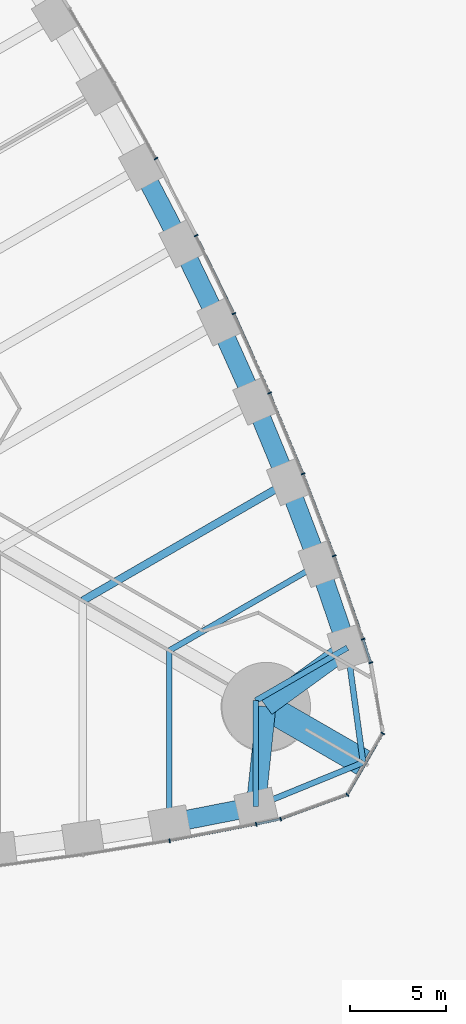
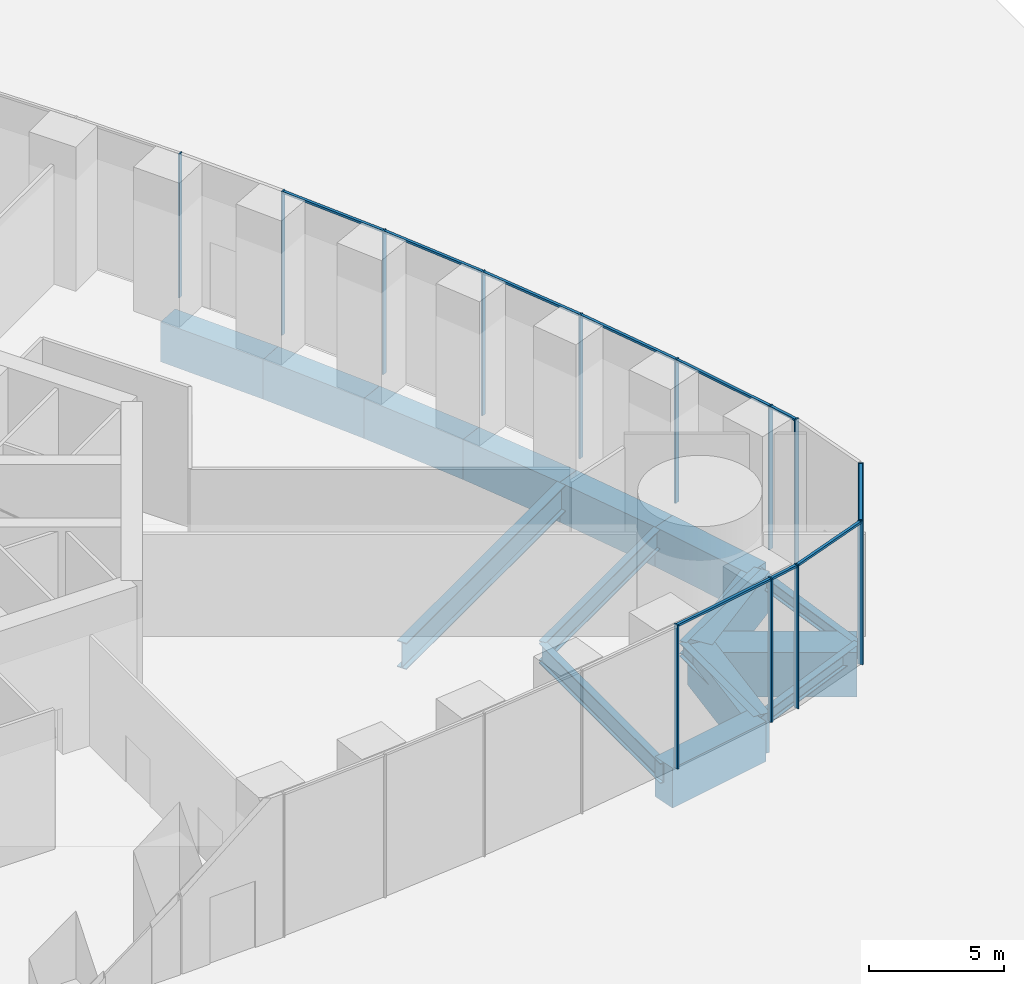
# One storey, part 11 of 43: 23 members, 17 beams, 4 elements without a shape of their own.
"""IFC4 building model written with IfcOpenShell, lengths in metres."""

from ifc_helpers import new_model, si_unit, direction, frame, origin, origin_2d, place, context, subcontext, project, spatial, rectangle, i_section, extrude, material, material_profile, profile_set, type_object, element, aggregate, save


model = new_model("IFC4")

# Units and contexts
model_context = context("Model", 3, precision=1e-05, world=origin(), true_north=direction((0.0, 1.0)))
body_context = subcontext(model_context, "Body", "Model", "MODEL_VIEW")
ifc_project = project(units=[si_unit("LENGTHUNIT", "METRE"), si_unit("AREAUNIT", "SQUARE_METRE"), si_unit("VOLUMEUNIT", "CUBIC_METRE"), si_unit("PLANEANGLEUNIT", "RADIAN"), si_unit("MASSUNIT", "GRAM", prefix="KILO")], contexts=[model_context])

# Site, building, storey
site_placement = place(None, origin())
site = spatial("IfcSite", under=ifc_project, at=site_placement, CompositionType="ELEMENT")
building_placement = place(site_placement, origin())
building = spatial("IfcBuilding", under=site, at=building_placement, Name="Trefoil Bronze Tower", CompositionType="ELEMENT")
storey_placement = place(building_placement, origin())
storey = spatial("IfcBuildingStorey", under=building, at=storey_placement, Name="L00", CompositionType="ELEMENT", Elevation=0.0)

# Curtain wall, members
ifc_material_1 = material(Name="Tinted solar-control glass", Category="glass")
curtain_wall_type_1 = type_object("IfcCurtainWallType", Name="Bronze podium storefront curtain wall", PredefinedType="USERDEFINED", material=ifc_material_1)
curtain_wall_1_placement = place(storey_placement, origin())
curtain_wall_1 = element("IfcCurtainWall", 1, at=curtain_wall_1_placement, inside=storey, type_object=curtain_wall_type_1, Name="CW-C L00 F1 run 6", ObjectType="CURTAIN WALL", PredefinedType="USERDEFINED")
ifc_material_2 = material(Name="Bronze-finish aluminium", Category="aluminium")
ifc_material_profile_1 = material_profile(ifc_material_2, rectangle(XDim=0.199951171875, YDim=0.06005859375, at=origin_2d()), Name="CW-C mullion")
ifc_profile_set_1 = profile_set([ifc_material_profile_1], Name="Bronze-finish aluminium")
member_type_1 = type_object("IfcMemberType", Name="Bronze podium storefront curtain wall mullion", PredefinedType="MULLION", material=ifc_profile_set_1)
member_1_placement = place(storey_placement, frame((27.017333984375, -25.478759765625, 0.0), z_axis=(0.0, 0.0, 1.0), x_axis=(-0.174131146426, 0.984722470468, 0.0)))
member_1 = element("IfcMember", 2, at=member_1_placement, type_object=member_type_1, Name="CW-C L00 F1 run 6 mullion 5", PredefinedType="MULLION", context=body_context, shape_type="SweptSolid", body=[
    extrude(rectangle(XDim=0.199951171875, YDim=0.06005859375, at=origin_2d()), origin(), (0.0, 0.0, 1.0), 6.47998046875),
])
member_2_placement = place(storey_placement, frame((31.519775390625, -24.614013671875, 0.0), z_axis=(0.0, 0.0, 1.0), x_axis=(-0.197910006829, 0.98022019424, 0.0)))
member_2 = element("IfcMember", 3, at=member_2_placement, type_object=member_type_1, Name="CW-C L00 F1 run 6 mullion 6", PredefinedType="MULLION", context=body_context, shape_type="SweptSolid", body=[
    extrude(rectangle(XDim=0.199951171875, YDim=0.06005859375, at=origin_2d()), origin(), (0.0, 0.0, 1.0), 6.47998046875),
])

curtain_wall_2_placement = place(storey_placement, origin())
curtain_wall_2 = element("IfcCurtainWall", 4, at=curtain_wall_2_placement, inside=storey, type_object=curtain_wall_type_1, Name="CW-C L00 F2 run 1", ObjectType="CURTAIN WALL", PredefinedType="USERDEFINED")
member_3_placement = place(storey_placement, frame((37.476318359375, -16.2177734375, 0.0), z_axis=(0.0, 0.0, 1.0), x_axis=(-0.950825296877, -0.309727710769, 0.0)))
member_3 = element("IfcMember", 5, at=member_3_placement, type_object=member_type_1, Name="CW-C L00 F2 run 1 mullion 1", PredefinedType="MULLION", context=body_context, shape_type="SweptSolid", body=[
    extrude(rectangle(XDim=0.199951171875, YDim=0.06005859375, at=origin_2d()), origin(), (0.0, 0.0, 1.0), 6.47998046875),
])
member_4_placement = place(storey_placement, frame((37.076416015625, -14.989990234375, 0.0), z_axis=(0.0, 0.0, 1.0), x_axis=(-0.947850592929, -0.318715003543, 0.0)))
member_4 = element("IfcMember", 6, at=member_4_placement, type_object=member_type_1, Name="CW-C L00 F2 run 1 mullion 2", PredefinedType="MULLION", context=body_context, shape_type="SweptSolid", body=[
    extrude(rectangle(XDim=0.199951171875, YDim=0.06005859375, at=origin_2d()), origin(), (0.0, 0.0, 1.0), 6.47998046875),
])
member_5_placement = place(storey_placement, frame((35.573974609375, -10.658447265625, 0.0), z_axis=(0.0, 0.0, 1.0), x_axis=(-0.939860248316, -0.341559238839, 0.0)))
member_5 = element("IfcMember", 7, at=member_5_placement, type_object=member_type_1, Name="CW-C L00 F2 run 1 mullion 3", PredefinedType="MULLION", context=body_context, shape_type="SweptSolid", body=[
    extrude(rectangle(XDim=0.199951171875, YDim=0.06005859375, at=origin_2d()), origin(), (0.0, 0.0, 1.0), 6.47998046875),
])
member_6_placement = place(storey_placement, frame((33.953125, -6.394775390625, 0.0), z_axis=(0.0, 0.0, 1.0), x_axis=(-0.929413605838, -0.369039766534, 0.0)))
member_6 = element("IfcMember", 8, at=member_6_placement, type_object=member_type_1, Name="CW-C L00 F2 run 1 mullion 4", PredefinedType="MULLION", context=body_context, shape_type="SweptSolid", body=[
    extrude(rectangle(XDim=0.199951171875, YDim=0.06005859375, at=origin_2d()), origin(), (0.0, 0.0, 1.0), 6.47998046875),
])
member_7_placement = place(storey_placement, frame((32.21533203125, -2.198486328125, 0.0), z_axis=(0.0, 0.0, 1.0), x_axis=(-0.918213748442, -0.396085233469, 0.0)))
member_7 = element("IfcMember", 9, at=member_7_placement, type_object=member_type_1, Name="CW-C L00 F2 run 1 mullion 5", PredefinedType="MULLION", context=body_context, shape_type="SweptSolid", body=[
    extrude(rectangle(XDim=0.199951171875, YDim=0.06005859375, at=origin_2d()), origin(), (0.0, 0.0, 1.0), 6.47998046875),
])
member_8_placement = place(storey_placement, frame((30.36181640625, 1.930908203125, 0.0), z_axis=(0.0, 0.0, 1.0), x_axis=(-0.906269346572, -0.422700687798, 0.0)))
member_8 = element("IfcMember", 10, at=member_8_placement, type_object=member_type_1, Name="CW-C L00 F2 run 1 mullion 6", PredefinedType="MULLION", context=body_context, shape_type="SweptSolid", body=[
    extrude(rectangle(XDim=0.199951171875, YDim=0.06005859375, at=origin_2d()), origin(), (0.0, 0.0, 1.0), 6.47998046875),
])
member_9_placement = place(storey_placement, frame((28.394775390625, 5.992919921875, 0.0), z_axis=(0.0, 0.0, 1.0), x_axis=(-0.900016731858, -0.4358553457, 0.0)))
member_9 = element("IfcMember", 11, at=member_9_placement, type_object=member_type_1, Name="CW-C L00 F2 run 1 mullion 7", PredefinedType="MULLION", context=body_context, shape_type="SweptSolid", body=[
    extrude(rectangle(XDim=0.199951171875, YDim=0.06005859375, at=origin_2d()), origin(), (0.0, 0.0, 1.0), 6.47998046875),
])

# Curtain wall, member
curtain_wall_3_placement = place(storey_placement, origin())
curtain_wall_3 = element("IfcCurtainWall", 12, at=curtain_wall_3_placement, inside=storey, type_object=curtain_wall_type_1, Name="CW-C L00 F2 run 3", ObjectType="CURTAIN WALL", PredefinedType="USERDEFINED")
member_10_placement = place(storey_placement, frame((26.311767578125, 9.993408203125, 0.0), z_axis=(0.0, 0.0, 1.0), x_axis=(-0.873188893722, -0.487381940453, 0.0)))
member_10 = element("IfcMember", 13, at=member_10_placement, type_object=member_type_1, Name="CW-C L00 F2 run 3 mullion 1", PredefinedType="MULLION", context=body_context, shape_type="SweptSolid", body=[
    extrude(rectangle(XDim=0.199951171875, YDim=0.06005859375, at=origin_2d()), origin(), (0.0, 0.0, 1.0), 6.47998046875),
])
aggregate(curtain_wall_3, [member_10])

# Member
ifc_material_3 = material(Name="Bronze-finish aluminium", Category="aluminium")
ifc_material_profile_2 = material_profile(ifc_material_3, rectangle(XDim=0.1201171875, YDim=0.10009765625, at=origin_2d()), Name="CW-C transom")
ifc_profile_set_2 = profile_set([ifc_material_profile_2], Name="Bronze-finish aluminium")
member_type_2 = type_object("IfcMemberType", Name="Bronze podium storefront curtain wall transom", PredefinedType="USERDEFINED", material=ifc_profile_set_2)
member_11_placement = place(storey_placement, frame((27.04833984375, -25.472900390625, 6.429931640625), z_axis=(0.982049163512, 0.18862513206, 0.0), x_axis=(-0.18862513206, 0.982049163512, 0.0)))
member_11 = element("IfcMember", 14, at=member_11_placement, type_object=member_type_2, Name="CW-C L00 F1 run 6 transom 5", ObjectType="TRANSOM", PredefinedType="USERDEFINED", context=body_context, shape_type="SweptSolid", body=[
    extrude(rectangle(XDim=0.1201171875, YDim=0.10009765625, at=origin_2d()), origin(), (0.0, 0.0, 1.0), 4.5224609375),
])

member_12_placement = place(storey_placement, frame((31.550048828125, -24.607666015625, 6.429931640625), z_axis=(0.978304864549, 0.207170441905, 0.0), x_axis=(-0.207170441905, 0.978304864549, 0.0)))
member_12 = element("IfcMember", 15, at=member_12_placement, type_object=member_type_2, Name="CW-C L00 F1 run 6 transom 6", ObjectType="TRANSOM", PredefinedType="USERDEFINED", context=body_context, shape_type="SweptSolid", body=[
    extrude(rectangle(XDim=0.1201171875, YDim=0.10009765625, at=origin_2d()), origin(), (0.0, 0.0, 1.0), 1.230224609375),
])

aggregate(curtain_wall_1, [member_1, member_2, member_11, member_12])

member_13_placement = place(storey_placement, frame((37.467041015625, -16.189208984375, 6.429931640625), z_axis=(-0.309732068556, 0.950823877334, 0.0), x_axis=(-0.950823877334, -0.309732068556, 0.0)))
member_13 = element("IfcMember", 16, at=member_13_placement, type_object=member_type_2, Name="CW-C L00 F2 run 1 transom 1", ObjectType="TRANSOM", PredefinedType="USERDEFINED", context=body_context, shape_type="SweptSolid", body=[
    extrude(rectangle(XDim=0.1201171875, YDim=0.10009765625, at=origin_2d()), origin(), (0.0, 0.0, 1.0), 1.23046875),
])

member_14_placement = place(storey_placement, frame((37.066162109375, -14.960693359375, 6.429931640625), z_axis=(-0.327638958875, 0.944803002021, 0.0), x_axis=(-0.944803002021, -0.327638958875, 0.0)))
member_14 = element("IfcMember", 17, at=member_14_placement, type_object=member_type_2, Name="CW-C L00 F2 run 1 transom 2", ObjectType="TRANSOM", PredefinedType="USERDEFINED", context=body_context, shape_type="SweptSolid", body=[
    extrude(rectangle(XDim=0.1201171875, YDim=0.10009765625, at=origin_2d()), origin(), (0.0, 0.0, 1.0), 4.522216796875),
])

member_15_placement = place(storey_placement, frame((35.562744140625, -10.62890625, 6.429931640625), z_axis=(-0.355324938334, 0.934742846026, 0.0), x_axis=(-0.934742846026, -0.355324938334, 0.0)))
member_15 = element("IfcMember", 18, at=member_15_placement, type_object=member_type_2, Name="CW-C L00 F2 run 1 transom 3", ObjectType="TRANSOM", PredefinedType="USERDEFINED", context=body_context, shape_type="SweptSolid", body=[
    extrude(rectangle(XDim=0.1201171875, YDim=0.10009765625, at=origin_2d()), origin(), (0.0, 0.0, 1.0), 4.498291015625),
])

member_16_placement = place(storey_placement, frame((33.94091796875, -6.36572265625, 6.429931640625), z_axis=(-0.382594106546, 0.923916527418, 0.0), x_axis=(-0.923916527418, -0.382594106546, 0.0)))
member_16 = element("IfcMember", 19, at=member_16_placement, type_object=member_type_2, Name="CW-C L00 F2 run 1 transom 4", ObjectType="TRANSOM", PredefinedType="USERDEFINED", context=body_context, shape_type="SweptSolid", body=[
    extrude(rectangle(XDim=0.1201171875, YDim=0.10009765625, at=origin_2d()), origin(), (0.0, 0.0, 1.0), 4.47900390625),
])

member_17_placement = place(storey_placement, frame((32.202392578125, -2.169921875, 6.429931640625), z_axis=(-0.409454767225, 0.91233041909, 0.0), x_axis=(-0.91233041909, -0.409454767225, 0.0)))
member_17 = element("IfcMember", 20, at=member_17_placement, type_object=member_type_2, Name="CW-C L00 F2 run 1 transom 5", ObjectType="TRANSOM", PredefinedType="USERDEFINED", context=body_context, shape_type="SweptSolid", body=[
    extrude(rectangle(XDim=0.1201171875, YDim=0.10009765625, at=origin_2d()), origin(), (0.0, 0.0, 1.0), 4.463623046875),
])

member_18_placement = place(storey_placement, frame((30.34814453125, 1.959228515625, 6.429931640625), z_axis=(-0.435859049912, 0.900014937992, 0.0), x_axis=(-0.900014937992, -0.435859049912, 0.0)))
member_18 = element("IfcMember", 21, at=member_18_placement, type_object=member_type_2, Name="CW-C L00 F2 run 1 transom 6", ObjectType="TRANSOM", PredefinedType="USERDEFINED", context=body_context, shape_type="SweptSolid", body=[
    extrude(rectangle(XDim=0.1201171875, YDim=0.10009765625, at=origin_2d()), origin(), (0.0, 0.0, 1.0), 4.451904296875),
])

aggregate(curtain_wall_2, [member_3, member_4, member_5, member_6, member_7, member_8, member_9, member_13, member_14, member_15, member_16, member_17, member_18])

# Curtain wall, members
ifc_material_4 = material(Name="Tinted solar-control glass", Category="glass")
curtain_wall_type_2 = type_object("IfcCurtainWallType", Name="Bronze rounded corner curtain wall", PredefinedType="USERDEFINED", material=ifc_material_4)
curtain_wall_4_placement = place(storey_placement, origin())
curtain_wall_4 = element("IfcCurtainWall", 22, at=curtain_wall_4_placement, inside=storey, type_object=curtain_wall_type_2, Name="CW-B L00 K1 run 1", ObjectType="CURTAIN WALL", PredefinedType="USERDEFINED")
ifc_material_5 = material(Name="Bronze-finish aluminium", Category="aluminium")
ifc_material_profile_3 = material_profile(ifc_material_5, rectangle(XDim=0.199951171875, YDim=0.06005859375, at=origin_2d()), Name="CW-B mullion")
ifc_profile_set_3 = profile_set([ifc_material_profile_3], Name="Bronze-finish aluminium")
member_type_3 = type_object("IfcMemberType", Name="Bronze rounded corner curtain wall mullion", PredefinedType="MULLION", material=ifc_profile_set_3)
member_19_placement = place(storey_placement, frame((32.796630859375, -24.3427734375, 0.0), z_axis=(0.0, 0.0, 1.0), x_axis=(-0.342020143326, 0.939692620786, 0.0)))
member_19 = element("IfcMember", 23, at=member_19_placement, type_object=member_type_3, Name="CW-B L00 K1 run 1 mullion 1", PredefinedType="MULLION", context=body_context, shape_type="SweptSolid", body=[
    extrude(rectangle(XDim=0.199951171875, YDim=0.06005859375, at=origin_2d()), origin(), (0.0, 0.0, 1.0), 6.47998046875),
])
member_20_placement = place(storey_placement, frame((36.2548828125, -23.07763671875, 0.0), z_axis=(0.0, 0.0, 1.0), x_axis=(-0.642787609687, 0.766044443119, 0.0)))
member_20 = element("IfcMember", 24, at=member_20_placement, type_object=member_type_3, Name="CW-B L00 K1 run 1 mullion 2", PredefinedType="MULLION", context=body_context, shape_type="SweptSolid", body=[
    extrude(rectangle(XDim=0.199951171875, YDim=0.06005859375, at=origin_2d()), origin(), (0.0, 0.0, 1.0), 6.47998046875),
])
member_21_placement = place(storey_placement, frame((38.101318359375, -19.8916015625, 0.0), z_axis=(0.0, 0.0, 1.0), x_axis=(-0.866025403784, 0.5, 0.0)))
member_21 = element("IfcMember", 25, at=member_21_placement, type_object=member_type_3, Name="CW-B L00 K1 run 1 mullion 3", PredefinedType="MULLION", context=body_context, shape_type="SweptSolid", body=[
    extrude(rectangle(XDim=0.199951171875, YDim=0.06005859375, at=origin_2d()), origin(), (0.0, 0.0, 1.0), 6.47998046875),
])
ifc_material_6 = material(Name="Bronze-finish aluminium", Category="aluminium")
ifc_material_profile_4 = material_profile(ifc_material_6, rectangle(XDim=0.1201171875, YDim=0.10009765625, at=origin_2d()), Name="CW-B transom")
ifc_profile_set_4 = profile_set([ifc_material_profile_4], Name="Bronze-finish aluminium")
member_type_4 = type_object("IfcMemberType", Name="Bronze rounded corner curtain wall transom", PredefinedType="USERDEFINED", material=ifc_profile_set_4)
member_22_placement = place(storey_placement, frame((32.82470703125, -24.33251953125, 6.429931640625), z_axis=(0.939688092095, 0.342032585545, 0.0), x_axis=(-0.342032585545, 0.939688092095, 0.0)))
member_22 = element("IfcMember", 26, at=member_22_placement, type_object=member_type_4, Name="CW-B L00 K1 run 1 transom 1", ObjectType="TRANSOM", PredefinedType="USERDEFINED", context=body_context, shape_type="SweptSolid", body=[
    extrude(rectangle(XDim=0.1201171875, YDim=0.10009765625, at=origin_2d()), origin(), (0.0, 0.0, 1.0), 3.588134765625),
])
member_23_placement = place(storey_placement, frame((36.292236328125, -23.02490234375, 6.429931640625), z_axis=(0.500024788772, 0.866011091507, 0.0), x_axis=(-0.866011091507, 0.500024788772, 0.0)))
member_23 = element("IfcMember", 27, at=member_23_placement, type_object=member_type_4, Name="CW-B L00 K1 run 1 transom 2", ObjectType="TRANSOM", PredefinedType="USERDEFINED", context=body_context, shape_type="SweptSolid", body=[
    extrude(rectangle(XDim=0.1201171875, YDim=0.10009765625, at=origin_2d()), origin(), (0.0, 0.0, 1.0), 3.588134765625),
])
aggregate(curtain_wall_4, [member_19, member_20, member_21, member_22, member_23])

# Beams
ifc_material_7 = material(Name="Concrete B80", Category="concrete")
ifc_material_profile_5 = material_profile(ifc_material_7, rectangle(XDim=1.39990234375, YDim=2.0, at=origin_2d()), Name="RC 1400x2000")
ifc_profile_set_5 = profile_set([ifc_material_profile_5], Name="Concrete B80")
beam_type_1 = type_object("IfcBeamType", Name="Corner cantilever RC 1400x2000", PredefinedType="BEAM", material=ifc_profile_set_5)
beam_1_placement = place(storey_placement, frame((32.04296875, -18.5, -1.300048828125), z_axis=(0.866030348588, -0.499991435252, 0.0), x_axis=(0.499991435252, 0.866030348588, 0.0)))
element("IfcBeam", 28, at=beam_1_placement, inside=storey, type_object=beam_type_1, Name="Corner cantilever K1 L00", PredefinedType="BEAM", context=body_context, shape_type="SweptSolid", body=[
    extrude(rectangle(XDim=1.39990234375, YDim=2.0, at=origin_2d()), origin(), (0.0, 0.0, 1.0), 5.81396484375),
])
ifc_material_8 = material(Name="Steel C355", Category="steel")
ifc_material_profile_6 = material_profile(ifc_material_8, i_section(OverallWidth=0.300048828125, OverallDepth=0.60009765625, WebThickness=0.015380859375, FlangeThickness=0.030029296875, FilletRadius=0.027099609375, at=origin_2d()), Name="HEB 600")
ifc_profile_set_6 = profile_set([ifc_material_profile_6], Name="Steel C355")
beam_type_2 = type_object("IfcBeamType", Name="Corner edge beam HEB 600", PredefinedType="BEAM", material=ifc_profile_set_6)
beam_2_placement = place(storey_placement, frame((31.5, -23.684814453125, -0.60009765625), z_axis=(0.925786874353, 0.378045848114, 0.0), x_axis=(-0.378045848114, 0.925786874353, 0.0)))
element("IfcBeam", 29, at=beam_2_placement, inside=storey, type_object=beam_type_2, Name="Corner edge beam F1A L00", PredefinedType="BEAM", context=body_context, shape_type="SweptSolid", body=[
    extrude(i_section(OverallWidth=0.300048828125, OverallDepth=0.60009765625, WebThickness=0.015380859375, FlangeThickness=0.030029296875, FilletRadius=0.027099609375, at=origin_2d()), origin(), (0.0, 0.0, 1.0), 6.025390625),
])
beam_3_placement = place(storey_placement, frame((36.26171875, -15.4375, -0.60009765625), z_axis=(0.13550196505, -0.990777077585, 0.0), x_axis=(0.990777077585, 0.13550196505, 0.0)))
element("IfcBeam", 30, at=beam_3_placement, inside=storey, type_object=beam_type_2, Name="Corner edge beam F2B L00", PredefinedType="BEAM", context=body_context, shape_type="SweptSolid", body=[
    extrude(i_section(OverallWidth=0.300048828125, OverallDepth=0.60009765625, WebThickness=0.015380859375, FlangeThickness=0.030029296875, FilletRadius=0.027099609375, at=origin_2d()), origin(), (0.0, 0.0, 1.0), 6.025146484375),
])
ifc_material_9 = material(Name="Concrete B80", Category="concrete")
ifc_material_profile_7 = material_profile(ifc_material_9, rectangle(XDim=1.0, YDim=1.800048828125, at=origin_2d()), Name="RC 1000x1800")
ifc_profile_set_7 = profile_set([ifc_material_profile_7], Name="Concrete B80")
beam_type_3 = type_object("IfcBeamType", Name="End spandrel beam RC 1000x1800", PredefinedType="SPANDREL", material=ifc_profile_set_7)
for number, where, z_axis, x_axis, name in (
    (31, (31.5, -23.684814453125, -1.199951171875), (0.104153327908, 0.994561252154, 0.0), (-0.994561252154, 0.104153327908, 0.0), "Spandrel F1.16 L00"),
    (32, (32.04296875, -18.5, -1.199951171875), (0.809254211267, 0.587458612624, 0.0), (-0.587458612624, 0.809254211267, 0.0), "Spandrel F2.1 L00"),
):
    element("IfcBeam", number, at=place(storey_placement, frame(where, z_axis=z_axis, x_axis=x_axis)), inside=storey, type_object=beam_type_3, Name=name, PredefinedType="SPANDREL", context=body_context, shape_type="SweptSolid", body=[
        extrude(rectangle(XDim=1.0, YDim=1.800048828125, at=origin_2d()), origin(), (0.0, 0.0, 1.0), 5.213134765625),
    ])
ifc_material_10 = material(Name="Steel C355", Category="steel")
ifc_material_profile_8 = material_profile(ifc_material_10, i_section(OverallWidth=0.300048828125, OverallDepth=0.590087890625, WebThickness=0.012939453125, FlangeThickness=0.02490234375, FilletRadius=0.027099609375, at=origin_2d()), Name="HEA 600")
ifc_profile_set_8 = profile_set([ifc_material_profile_8], Name="Steel C355")
beam_type_4 = type_object("IfcBeamType", Name="Floor beam HEA 600", PredefinedType="BEAM", material=ifc_profile_set_8)
for number, where, z_axis, x_axis, name in (
    (33, (31.5, -23.684814453125, -0.594970703125), (0.0, 1.0, 0.0), (-1.0, 0.0, 0.0), "Floor beam F1/+7 L00"),
    (34, (36.26171875, -15.4375, -0.594970703125), (-0.866037702141, -0.499978698016, 0.0), (0.499978698016, -0.866037702141, 0.0), "Floor beam F2/-7 L00"),
):
    element("IfcBeam", number, at=place(storey_placement, frame(where, z_axis=z_axis, x_axis=x_axis)), inside=storey, type_object=beam_type_4, Name=name, PredefinedType="BEAM", context=body_context, shape_type="SweptSolid", body=[
        extrude(i_section(OverallWidth=0.300048828125, OverallDepth=0.590087890625, WebThickness=0.012939453125, FlangeThickness=0.02490234375, FilletRadius=0.027099609375, at=origin_2d()), origin(), (0.0, 0.0, 1.0), 5.498291015625),
    ])
ifc_material_11 = material(Name="Steel C355", Category="steel")
ifc_material_profile_9 = material_profile(ifc_material_11, i_section(OverallWidth=0.300048828125, OverallDepth=0.89990234375, WebThickness=0.0185546875, FlangeThickness=0.034912109375, FilletRadius=0.030029296875, at=origin_2d()), Name="HEB 900")
ifc_profile_set_9 = profile_set([ifc_material_profile_9], Name="Steel C355")
beam_type_5 = type_object("IfcBeamType", Name="Floor beam HEB 900", PredefinedType="BEAM", material=ifc_profile_set_9)
for number, where, z_axis, x_axis, name in (
    (35, (27.0, -24.56787109375, -0.75), (0.0, 1.0, 0.0), (-1.0, 0.0, 0.0), "Floor beam F1/+6 L00"),
    (36, (34.7763671875, -11.0986328125, -0.75), (-0.866022587327, -0.500004878216, 0.0), (0.500004878216, -0.866022587327, 0.0), "Floor beam F2/-6 L00"),
):
    element("IfcBeam", number, at=place(storey_placement, frame(where, z_axis=z_axis, x_axis=x_axis)), inside=storey, type_object=beam_type_5, Name=name, PredefinedType="BEAM", context=body_context, shape_type="SweptSolid", body=[
        extrude(i_section(OverallWidth=0.300048828125, OverallDepth=0.89990234375, WebThickness=0.0185546875, FlangeThickness=0.034912109375, FilletRadius=0.030029296875, at=origin_2d()), origin(), (0.0, 0.0, 1.0), 8.9794921875),
    ])
ifc_material_12 = material(Name="Steel C355", Category="steel")
ifc_material_profile_10 = material_profile(ifc_material_12, i_section(OverallWidth=0.39990234375, OverallDepth=1.199951171875, WebThickness=0.02001953125, FlangeThickness=0.0400390625, FilletRadius=0.010009765625, at=origin_2d()), Name="WPG 1200")
ifc_profile_set_10 = profile_set([ifc_material_profile_10], Name="Steel C355")
beam_type_6 = type_object("IfcBeamType", Name="Floor beam WPG 1200", PredefinedType="BEAM", material=ifc_profile_set_10)
beam_4_placement = place(storey_placement, frame((33.159912109375, -6.8359375, -0.89990234375), z_axis=(-0.866024070878, -0.500002308654, 0.0), x_axis=(0.500002308654, -0.866024070878, 0.0)))
element("IfcBeam", 37, at=beam_4_placement, inside=storey, type_object=beam_type_6, Name="Floor beam F2/-5 L00", PredefinedType="BEAM", context=body_context, shape_type="SweptSolid", body=[
    extrude(i_section(OverallWidth=0.39990234375, OverallDepth=1.199951171875, WebThickness=0.02001953125, FlangeThickness=0.0400390625, FilletRadius=0.010009765625, at=origin_2d()), origin(), (0.0, 0.0, 1.0), 12.30908203125),
])
ifc_material_13 = material(Name="Concrete B80", Category="concrete")
ifc_material_profile_11 = material_profile(ifc_material_13, rectangle(XDim=1.0, YDim=1.800048828125, at=origin_2d()), Name="RC 1000x1800")
ifc_profile_set_11 = profile_set([ifc_material_profile_11], Name="Concrete B80")
beam_type_7 = type_object("IfcBeamType", Name="Spandrel beam RC 1000x1800", PredefinedType="SPANDREL", material=ifc_profile_set_11)
beam_5_placement = place(storey_placement, frame((27.0, -24.56787109375, -1.199951171875), z_axis=(0.981284764092, 0.192562228283, 0.0), x_axis=(-0.192562228283, 0.981284764092, 0.0)))
element("IfcBeam", 38, at=beam_5_placement, inside=storey, type_object=beam_type_7, Name="Spandrel F1.15 L00", PredefinedType="SPANDREL", context=body_context, shape_type="SweptSolid", body=[
    extrude(rectangle(XDim=1.0, YDim=1.800048828125, at=origin_2d()), origin(), (0.0, 0.0, 1.0), 4.5859375),
])
beam_6_placement = place(storey_placement, frame((36.26171875, -15.4375, -1.199951171875), z_axis=(-0.323883319148, 0.946097032855, 0.0), x_axis=(-0.946097032855, -0.323883319148, 0.0)))
element("IfcBeam", 39, at=beam_6_placement, inside=storey, type_object=beam_type_7, Name="Spandrel F2.2 L00", PredefinedType="SPANDREL", context=body_context, shape_type="SweptSolid", body=[
    extrude(rectangle(XDim=1.0, YDim=1.800048828125, at=origin_2d()), origin(), (0.0, 0.0, 1.0), 4.586181640625),
])
beam_7_placement = place(storey_placement, frame((34.7763671875, -11.0986328125, -1.199951171875), z_axis=(-0.354571899767, 0.935028752443, 0.0), x_axis=(-0.935028752443, -0.354571899767, 0.0)))
element("IfcBeam", 40, at=beam_7_placement, inside=storey, type_object=beam_type_7, Name="Spandrel F2.3 L00", PredefinedType="SPANDREL", context=body_context, shape_type="SweptSolid", body=[
    extrude(rectangle(XDim=1.0, YDim=1.800048828125, at=origin_2d()), origin(), (0.0, 0.0, 1.0), 4.558837890625),
])
beam_8_placement = place(storey_placement, frame((33.159912109375, -6.8359375, -1.199951171875), z_axis=(-0.382020825144, 0.924153715113, 0.0), x_axis=(-0.924153715113, -0.382020825144, 0.0)))
element("IfcBeam", 41, at=beam_8_placement, inside=storey, type_object=beam_type_7, Name="Spandrel F2.4 L00", PredefinedType="SPANDREL", context=body_context, shape_type="SweptSolid", body=[
    extrude(rectangle(XDim=1.0, YDim=1.800048828125, at=origin_2d()), origin(), (0.0, 0.0, 1.0), 4.539306640625),
])
beam_9_placement = place(storey_placement, frame((31.42578125, -2.640869140625, -1.199951171875), z_axis=(-0.408945873044, 0.912558640812, 0.0), x_axis=(-0.912558640812, -0.408945873044, 0.0)))
element("IfcBeam", 42, at=beam_9_placement, inside=storey, type_object=beam_type_7, Name="Spandrel F2.5 L00", PredefinedType="SPANDREL", context=body_context, shape_type="SweptSolid", body=[
    extrude(rectangle(XDim=1.0, YDim=1.800048828125, at=origin_2d()), origin(), (0.0, 0.0, 1.0), 4.5234375),
])
beam_10_placement = place(storey_placement, frame((29.575927734375, 1.487060546875, -1.199951171875), z_axis=(-0.435510013583, 0.900183885697, 0.0), x_axis=(-0.900183885697, -0.435510013583, 0.0)))
element("IfcBeam", 43, at=beam_10_placement, inside=storey, type_object=beam_type_7, Name="Spandrel F2.6 L00", PredefinedType="SPANDREL", context=body_context, shape_type="SweptSolid", body=[
    extrude(rectangle(XDim=1.0, YDim=1.800048828125, at=origin_2d()), origin(), (0.0, 0.0, 1.0), 4.51220703125),
])
beam_11_placement = place(storey_placement, frame((27.61083984375, 5.548828125, -1.199951171875), z_axis=(-0.461637716615, 0.887068553495, 0.0), x_axis=(-0.887068553495, -0.461637716615, 0.0)))
element("IfcBeam", 44, at=beam_11_placement, inside=storey, type_object=beam_type_7, Name="Spandrel F2.7 L00", PredefinedType="SPANDREL", context=body_context, shape_type="SweptSolid", body=[
    extrude(rectangle(XDim=1.0, YDim=1.800048828125, at=origin_2d()), origin(), (0.0, 0.0, 1.0), 4.50439453125),
])

save(model, "model.ifc")
